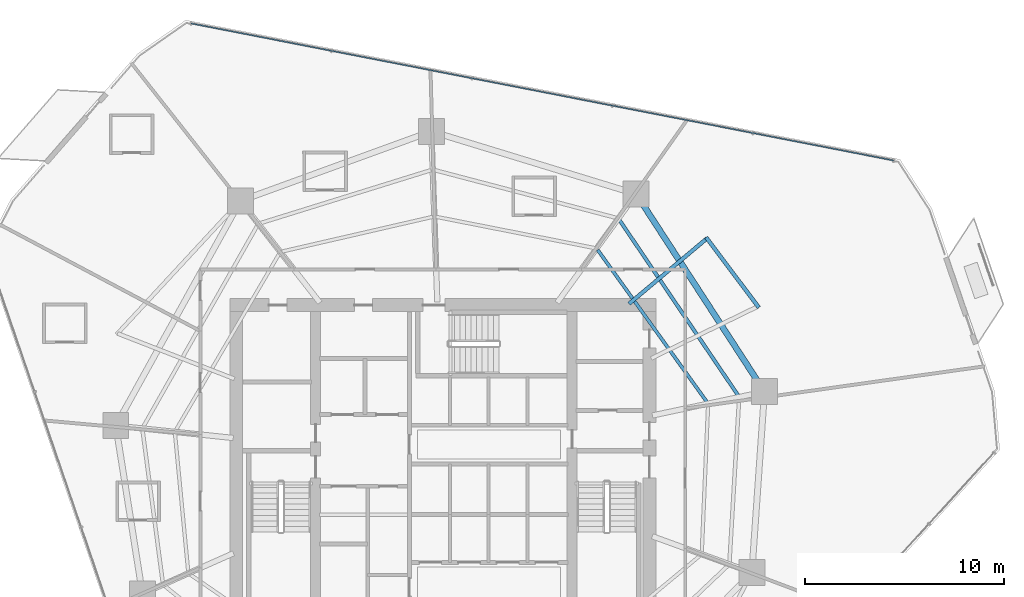
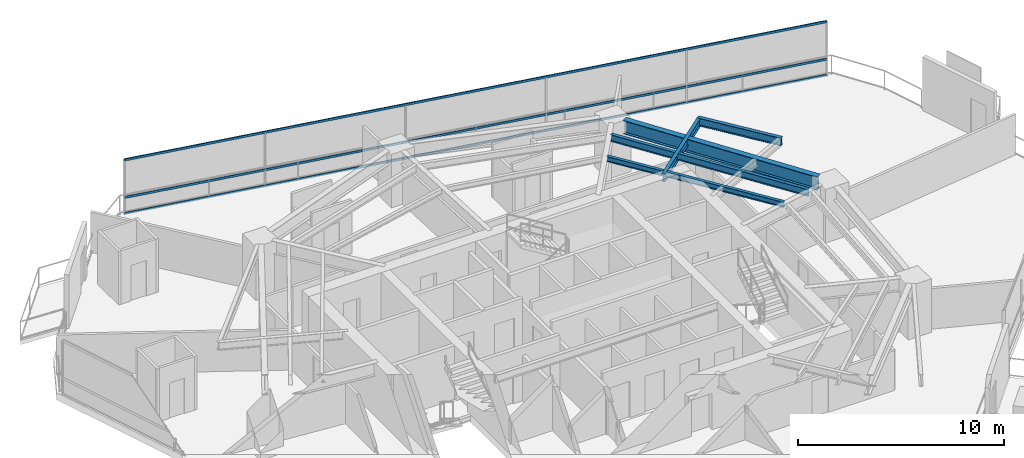
# One storey, part 23 of 33: 5 beams, 3 members, 1 element without a shape of its own.
"""IFC4 building model written with IfcOpenShell, lengths in metres."""

from ifc_helpers import new_model, si_unit, direction, frame, origin, origin_2d, place, context, subcontext, project, spatial, hollow_rectangle, i_section, extrude, material, layer, layer_set, material_profile, profile_set, type_object, element, aggregate, save


model = new_model("IFC4")

# Units and contexts
model_context = context("Model", 3, precision=1e-05, world=origin(), true_north=direction((0.0, 1.0)))
body_context = subcontext(model_context, "Body", "Model", "MODEL_VIEW")
ifc_project = project(units=[si_unit("LENGTHUNIT", "METRE"), si_unit("AREAUNIT", "SQUARE_METRE"), si_unit("VOLUMEUNIT", "CUBIC_METRE"), si_unit("PLANEANGLEUNIT", "RADIAN"), si_unit("MASSUNIT", "GRAM", prefix="KILO")], contexts=[model_context])

# Site, building, storey
site_placement = place(None, origin())
site = spatial("IfcSite", under=ifc_project, at=site_placement, CompositionType="ELEMENT")
building_placement = place(site_placement, origin())
building = spatial("IfcBuilding", under=site, at=building_placement, Name="Qarnah Convention Tower", CompositionType="ELEMENT")
storey_placement = place(building_placement, frame((0.0, 0.0, 27.0)))
storey = spatial("IfcBuildingStorey", under=building, at=storey_placement, Name="L05", CompositionType="ELEMENT", Elevation=27.0)

# Beams
ifc_material_1 = material(Name="Structural steel S355JR", Category="steel")
ifc_material_profile_1 = material_profile(ifc_material_1, i_section(OverallWidth=0.19189453125, OverallDepth=0.464111328125, WebThickness=0.010986328125, FlangeThickness=0.01806640625, at=origin_2d()), Name="W460X89")
ifc_profile_set_1 = profile_set([ifc_material_profile_1], Name="Structural steel S355JR")
beam_type_1 = type_object("IfcBeamType", Name="BM-CANT-W460A", PredefinedType="BEAM", material=ifc_profile_set_1)
beam_1_placement = place(storey_placement, frame((46.572021484375, 34.263916015625, 2.93798828125), z_axis=(0.765964185984, 0.64288324429, 0.0), x_axis=(-0.64288324429, 0.765964185984, 0.0)))
element("IfcBeam", 1, at=beam_1_placement, inside=storey, type_object=beam_type_1, Name="L05 beam BM-L05-CNT-01-2", PredefinedType="BEAM", context=body_context, shape_type="SweptSolid", body=[
    extrude(i_section(OverallWidth=0.19189453125, OverallDepth=0.464111328125, WebThickness=0.010986328125, FlangeThickness=0.01806640625, at=origin_2d()), origin(), (0.0, 0.0, 1.0), 5.11767578125),
])
beam_2_placement = place(storey_placement, frame((53.10107421875, 34.077880859375, 2.93798828125), z_axis=(-0.600282994859, 0.799787675626, 0.0), x_axis=(-0.799787675626, -0.600282994859, 0.0)))
element("IfcBeam", 2, at=beam_2_placement, inside=storey, type_object=beam_type_1, Name="L05 spandrel BM-L05-CTIE-01", PredefinedType="SPANDREL", context=body_context, shape_type="SweptSolid", body=[
    extrude(i_section(OverallWidth=0.19189453125, OverallDepth=0.464111328125, WebThickness=0.010986328125, FlangeThickness=0.01806640625, at=origin_2d()), origin(), (0.0, 0.0, 1.0), 4.41650390625),
])
ifc_material_profile_2 = material_profile(ifc_material_1, i_section(OverallWidth=0.166015625, OverallDepth=0.31201171875, WebThickness=0.007080078125, FlangeThickness=0.010986328125, at=origin_2d()), Name="W310X45")
ifc_profile_set_2 = profile_set([ifc_material_profile_2], Name="Structural steel S355JR")
beam_type_2 = type_object("IfcBeamType", Name="BM-JST-W310", PredefinedType="JOIST", material=ifc_profile_set_2)
beam_3_placement = place(storey_placement, frame((50.4990234375, 29.31103515625, 3.013916015625), z_axis=(-0.583503875683, 0.812110353993, 0.0), x_axis=(-0.812110353993, -0.583503875683, 0.0)))
element("IfcBeam", 3, at=beam_3_placement, inside=storey, type_object=beam_type_2, Name="L05 joist BM-L05-IJST-01", PredefinedType="JOIST", context=body_context, shape_type="SweptSolid", body=[
    extrude(i_section(OverallWidth=0.166015625, OverallDepth=0.31201171875, WebThickness=0.007080078125, FlangeThickness=0.010986328125, at=origin_2d()), origin(), (0.0, 0.0, 1.0), 9.439697265625),
])
ifc_material_profile_3 = material_profile(ifc_material_1, i_section(OverallWidth=0.177978515625, OverallDepth=0.407958984375, WebThickness=0.008056640625, FlangeThickness=0.012939453125, at=origin_2d()), Name="W410X60")
ifc_profile_set_3 = profile_set([ifc_material_profile_3], Name="Structural steel S355JR")
beam_type_3 = type_object("IfcBeamType", Name="BM-JST-W410", PredefinedType="JOIST", material=ifc_profile_set_3)
beam_4_placement = place(storey_placement, frame((52.06494140625, 29.64501953125, 2.966064453125), z_axis=(-0.560357375218, 0.828250935429, 0.0), x_axis=(-0.828250935429, -0.560357375218, 0.0)))
element("IfcBeam", 4, at=beam_4_placement, inside=storey, type_object=beam_type_3, Name="L05 joist BM-L05-SJST-01", PredefinedType="JOIST", context=body_context, shape_type="SweptSolid", body=[
    extrude(i_section(OverallWidth=0.177978515625, OverallDepth=0.407958984375, WebThickness=0.008056640625, FlangeThickness=0.012939453125, at=origin_2d()), origin(), (0.0, 0.0, 1.0), 10.671630859375),
])
ifc_material_profile_4 = material_profile(ifc_material_1, i_section(OverallWidth=0.300048828125, OverallDepth=0.800048828125, WebThickness=0.01806640625, FlangeThickness=0.032958984375, at=origin_2d()), Name="HEB800")
ifc_profile_set_4 = profile_set([ifc_material_profile_4], Name="Structural steel S355JR")
beam_type_4 = type_object("IfcBeamType", Name="BM-RING-HEB800", PredefinedType="BEAM", material=ifc_profile_set_4)
beam_5_placement = place(storey_placement, frame((53.0390625, 30.3779296875, 2.77001953125), z_axis=(-0.544579515688, 0.838709217246, 0.0), x_axis=(-0.838709217246, -0.544579515688, 0.0)))
element("IfcBeam", 5, at=beam_5_placement, inside=storey, type_object=beam_type_4, Name="L05 beam BM-L05-SPN-01", PredefinedType="BEAM", context=body_context, shape_type="SweptSolid", body=[
    extrude(i_section(OverallWidth=0.300048828125, OverallDepth=0.800048828125, WebThickness=0.01806640625, FlangeThickness=0.032958984375, at=origin_2d()), origin(), (0.0, 0.0, 1.0), 10.58056640625),
])

# Curtain wall, members
ifc_material_2 = material(Name="Tempered Low-E dark glass", Category="glass")
ifc_layer = layer(ifc_material_2, 0.16796875)
ifc_layer_set = layer_set([ifc_layer], Name="Tempered Low-E dark glass")
curtain_wall_type = type_object("IfcCurtainWallType", Name="CWS-01", PredefinedType="NOTDEFINED", material=ifc_layer_set)
curtain_wall_placement = place(storey_placement, origin())
curtain_wall = element("IfcCurtainWall", 6, at=curtain_wall_placement, inside=storey, type_object=curtain_wall_type, Name="L05 unitised curtain wall CW-L05-F2", PredefinedType="NOTDEFINED")
ifc_material_3 = material(Name="Black anodised aluminium", Category="aluminium")
ifc_material_profile_5 = material_profile(ifc_material_3, hollow_rectangle(XDim=0.06005859375, YDim=0.1298828125, WallThickness=0.00390625, at=origin_2d()), Name="TRN-60X130")
ifc_profile_set_5 = profile_set([ifc_material_profile_5], Name="Black anodised aluminium")
member_type = type_object("IfcMemberType", Name="TRN-T1", PredefinedType="USERDEFINED", material=ifc_profile_set_5)
member_1_placement = place(storey_placement, frame((24.530029296875, 48.37109375, 0.0), z_axis=(0.98149447507, -0.191490457744, 0.0), x_axis=(0.191490457744, 0.98149447507, 0.0)))
member_1 = element("IfcMember", 7, at=member_1_placement, type_object=member_type, Name="CW-L05-F2 transom 1", ObjectType="TRANSOM", PredefinedType="USERDEFINED", context=body_context, shape_type="SweptSolid", body=[
    extrude(hollow_rectangle(XDim=0.06005859375, YDim=0.1298828125, WallThickness=0.00390625, at=origin_2d()), origin(), (0.0, 0.0, 1.0), 36.02880859375),
])
member_2_placement = place(storey_placement, frame((24.530029296875, 48.37109375, 0.949951171875), z_axis=(0.98149447507, -0.191490457744, 0.0), x_axis=(0.191490457744, 0.98149447507, 0.0)))
member_2 = element("IfcMember", 8, at=member_2_placement, type_object=member_type, Name="CW-L05-F2 transom 2", ObjectType="TRANSOM", PredefinedType="USERDEFINED", context=body_context, shape_type="SweptSolid", body=[
    extrude(hollow_rectangle(XDim=0.06005859375, YDim=0.1298828125, WallThickness=0.00390625, at=origin_2d()), origin(), (0.0, 0.0, 1.0), 36.02880859375),
])
member_3_placement = place(storey_placement, frame((24.530029296875, 48.37109375, 3.169921875), z_axis=(0.98149447507, -0.191490457744, 0.0), x_axis=(0.191490457744, 0.98149447507, 0.0)))
member_3 = element("IfcMember", 9, at=member_3_placement, type_object=member_type, Name="CW-L05-F2 transom 3", ObjectType="TRANSOM", PredefinedType="USERDEFINED", context=body_context, shape_type="SweptSolid", body=[
    extrude(hollow_rectangle(XDim=0.06005859375, YDim=0.1298828125, WallThickness=0.00390625, at=origin_2d()), origin(), (0.0, 0.0, 1.0), 36.02880859375),
])
aggregate(curtain_wall, [member_1, member_2, member_3])

save(model, "model.ifc")
